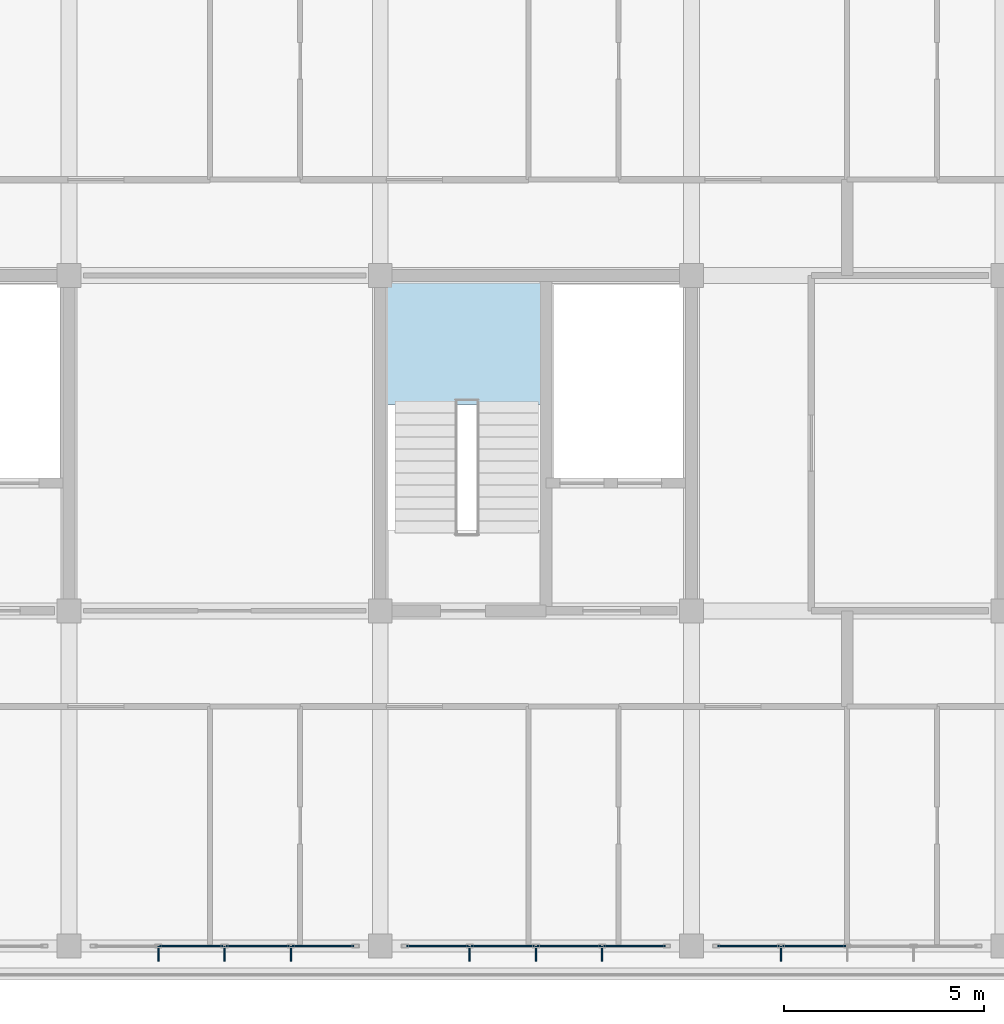
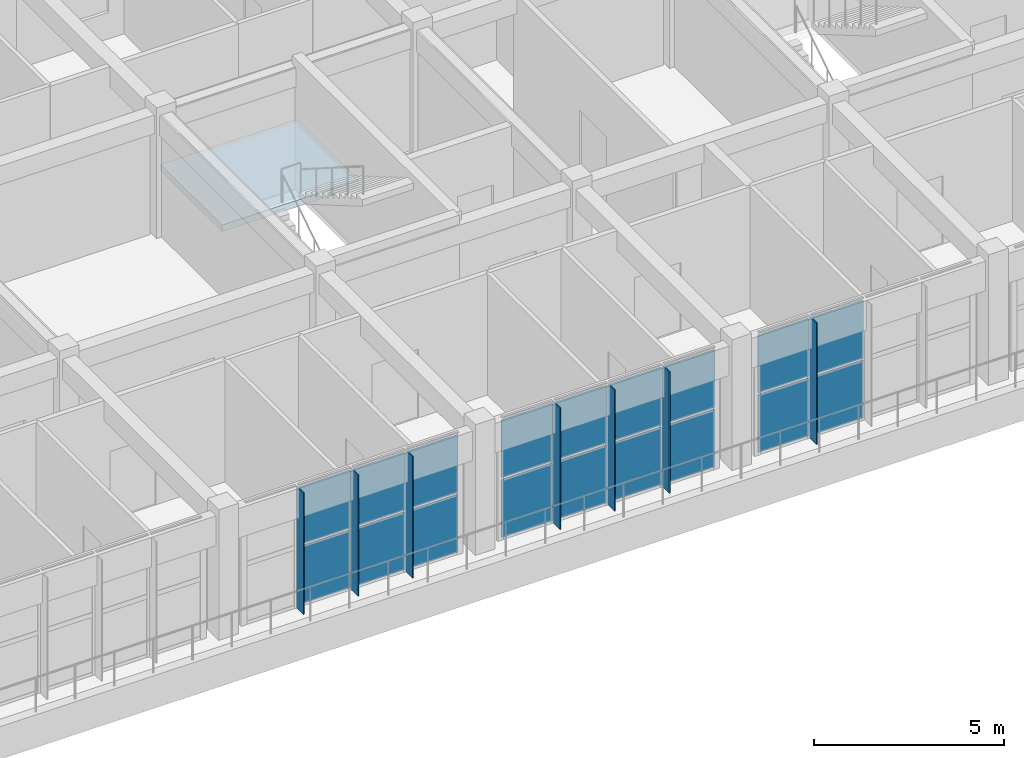
# One storey, part 38 of 56: 25 plates, 1 slab, 4 elements without a shape of their own.
"""IFC4 building model written with IfcOpenShell, lengths in metres."""

import ifcopenshell
import ifcopenshell.guid

model = None  # the IFC model being written
_history = None  # IfcOwnerHistory: only IFC2X3 demands one
_inside = {}  # id of a spatial element -> (the spatial element, [elements in it])
_under = {}  # id of a project, library or spatial element -> (it, [spatial elements below it])
_declared = {}  # id of a project -> (the project, [libraries it declares])
_typed = {}  # id of a type object -> (the type object, [elements of that type])
_made_of = {}  # id of a material, layer set ... -> (it, [elements and type objects made of it])


def new_model(schema):
    """Start an empty IFC model of exactly this schema.

    Asked for "IFC4X3", IfcOpenShell would pick the latest addendum, in which some entities
    have other attributes; the version numbers below select the first issue.
    IFC2X3 requires an IfcOwnerHistory on every rooted entity: one is made here for all.
    """
    global model, _history
    if schema == "IFC4X3":
        model = ifcopenshell.file(schema_version=(4, 3, 0, 0))
    else:
        model = ifcopenshell.file(schema=schema)
    _inside.clear()
    _under.clear()
    _declared.clear()
    _typed.clear()
    _made_of.clear()
    _history = None
    if model.schema == "IFC2X3":
        org = make("IfcOrganization", Name="unknown")
        user = make(
            "IfcPersonAndOrganization",
            ThePerson=make("IfcPerson", FamilyName="unknown"),
            TheOrganization=org,
        )
        app = make(
            "IfcApplication",
            ApplicationDeveloper=org,
            Version="unknown",
            ApplicationFullName="unknown",
            ApplicationIdentifier="unknown",
        )
        _history = make(
            "IfcOwnerHistory",
            OwningUser=user,
            OwningApplication=app,
            ChangeAction="ADDED",
            CreationDate=0,
        )
    return model


def make(cls, **values):
    """One entity of the class cls with the attributes given. An attribute that is None is left unset."""
    return model.create_entity(
        cls, **{name: value for name, value in values.items() if value is not None}
    )


def rooted(cls, **values):
    """An entity with a GlobalId (a new one), such as an element, a storey or a relation."""
    return make(cls, GlobalId=ifcopenshell.guid.new(), OwnerHistory=_history, **values)


def si_unit(unit_type, name, prefix=None):
    """IfcSIUnit, for example si_unit("LENGTHUNIT", "METRE", prefix="MILLI")."""
    return make("IfcSIUnit", UnitType=unit_type, Prefix=prefix, Name=name)


def assignment(units):
    """IfcUnitAssignment: the units of a project."""
    return None if units is None else make("IfcUnitAssignment", Units=units)


def point(xyz):
    """IfcCartesianPoint."""
    return None if xyz is None else make("IfcCartesianPoint", Coordinates=xyz)


def direction(xyz):
    """IfcDirection."""
    return None if xyz is None else make("IfcDirection", DirectionRatios=xyz)


def frame(location, z_axis=None, x_axis=None):
    """IfcAxis2Placement3D, a coordinate frame: its origin and axes. An axis left out is left unset."""
    return make(
        "IfcAxis2Placement3D",
        Location=point(location),
        Axis=direction(z_axis),
        RefDirection=direction(x_axis),
    )


def frame_2d(location, x_axis=None):
    """IfcAxis2Placement2D, a coordinate frame in the plane: its origin and x axis."""
    return make(
        "IfcAxis2Placement2D", Location=point(location), RefDirection=direction(x_axis)
    )


def origin():
    """The frame at (0, 0, 0) with its axes left unset."""
    return frame((0.0, 0.0, 0.0))


def origin_2d():
    """The frame at (0, 0) in the plane with its x axis left unset."""
    return frame_2d((0.0, 0.0))


def place(relative_to, where):
    """IfcLocalPlacement: puts the frame where relative to a parent placement (None: the world)."""
    return make(
        "IfcLocalPlacement", PlacementRelTo=relative_to, RelativePlacement=where
    )


def context(
    kind, dimensions, precision=None, world=None, true_north=None, identifier=None
):
    """IfcGeometricRepresentationContext, for example the 3D "Model" context."""
    return make(
        "IfcGeometricRepresentationContext",
        ContextIdentifier=identifier,
        ContextType=kind,
        CoordinateSpaceDimension=dimensions,
        Precision=precision,
        WorldCoordinateSystem=world,
        TrueNorth=true_north,
    )


def subcontext(parent, identifier, kind, view, scale=None):
    """IfcGeometricRepresentationSubContext, for example "Body" below "Model"."""
    return make(
        "IfcGeometricRepresentationSubContext",
        ContextIdentifier=identifier,
        ContextType=kind,
        ParentContext=parent,
        TargetScale=scale,
        TargetView=view,
    )


def project(units=None, contexts=None):
    """IfcProject with its units and contexts."""
    return rooted(
        "IfcProject",
        Name="project",
        RepresentationContexts=contexts,
        UnitsInContext=assignment(units),
    )


def spatial(cls, under=None, at=None, **own):
    """A site, building, storey or space (cls), placed at a placement, below another one or the project."""
    s = rooted(cls, ObjectPlacement=at, **own)
    if under is not None:
        _under.setdefault(under.id(), (under, []))[1].append(s)
    return s


def polyline(points):
    """IfcPolyline through the points."""
    return make("IfcPolyline", Points=[point(p) for p in points])


def profile(cls, at=None, kind="AREA", **sizes):
    """A parametric profile (cls). Its sizes go by their IFC names, for example OverallWidth=200.0."""
    return make(cls, ProfileType=kind, Position=at, **sizes)


def rectangle(**sizes):
    """IfcRectangleProfileDef."""
    return profile("IfcRectangleProfileDef", **sizes)


def outline(outer, holes=None, kind="AREA"):
    """IfcArbitraryClosedProfileDef: a profile drawn as a closed curve; with holes, ...WithVoids."""
    if holes is None:
        return make("IfcArbitraryClosedProfileDef", ProfileType=kind, OuterCurve=outer)
    return make(
        "IfcArbitraryProfileDefWithVoids",
        ProfileType=kind,
        OuterCurve=outer,
        InnerCurves=holes,
    )


def extrude(swept, where, along, depth):
    """IfcExtrudedAreaSolid: the profile swept, set in the frame where, extruded along a direction by depth."""
    return make(
        "IfcExtrudedAreaSolid",
        SweptArea=swept,
        Position=where,
        ExtrudedDirection=direction(along),
        Depth=depth,
    )


def shape(context_of_items, identifier, shape_type, items):
    """IfcShapeRepresentation: the items that make up one representation, for example the "Body"."""
    return make(
        "IfcShapeRepresentation",
        ContextOfItems=context_of_items,
        RepresentationIdentifier=identifier,
        RepresentationType=shape_type,
        Items=items,
    )


def material(Name=None, Category=None):
    """IfcMaterial."""
    return make("IfcMaterial", Name=Name, Category=Category)


def layer(
    of_material, thickness, ventilated=None, Name=None, Category=None, Priority=None
):
    """IfcMaterialLayer: one layer of a wall or slab, of a material (None: an air gap)."""
    return make(
        "IfcMaterialLayer",
        Material=of_material,
        LayerThickness=thickness,
        IsVentilated=ventilated,
        Name=Name,
        Category=Category,
        Priority=Priority,
    )


def layer_set(layers, Name=None):
    """IfcMaterialLayerSet."""
    return make("IfcMaterialLayerSet", MaterialLayers=layers, LayerSetName=Name)


def made_of(thing, what):
    """Note that an element or type object is made of a material, layer set ...; save() writes the relation."""
    if what is not None:
        _made_of.setdefault(what.id(), (what, []))[1].append(thing)
    return thing


def type_object(cls, material=None, **own):
    """A type object (cls), such as IfcWallType, which elements share."""
    return made_of(rooted(cls, **own), material)


def element(
    cls,
    number,
    at=None,
    inside=None,
    cuts=None,
    type_object=None,
    material=None,
    context=None,
    identifier="Body",
    shape_type=None,
    held_by="IfcProductDefinitionShape",
    body=None,
    shapes=None,
    **own,
):
    """One element of the class cls, such as IfcWall. Its Tag is "e" and its number.

    at: its placement. inside: the storey or other place that contains it. cuts: it is an
    opening in that element (IfcRelVoidsElement). A single representation is given by context,
    identifier, shape_type and body (its items); several are given by shapes. held_by: the class
    of the entity that holds the representations. save() writes the other relations.
    """
    e = rooted(cls, Tag="e%d" % number, ObjectPlacement=at, **own)
    if body is not None:
        shapes = [shape(context, identifier, shape_type, body)]
    if shapes is not None:
        e.Representation = make(held_by, Representations=shapes)
    if inside is not None:
        _inside.setdefault(inside.id(), (inside, []))[1].append(e)
    if cuts is not None:
        rooted(
            "IfcRelVoidsElement", RelatingBuildingElement=cuts, RelatedOpeningElement=e
        )
    if type_object is not None:
        _typed.setdefault(type_object.id(), (type_object, []))[1].append(e)
    return made_of(e, material)


def aggregate(whole, parts):
    """IfcRelAggregates: a whole, such as a stair, and the parts it consists of."""
    return rooted("IfcRelAggregates", RelatingObject=whole, RelatedObjects=parts)


def save(model, path):
    """Write the relations noted so far, then the file.

    IfcRelAggregates (storeys below a building ...), IfcRelContainedInSpatialStructure (elements
    in a storey), IfcRelDefinesByType, IfcRelAssociatesMaterial and IfcRelDeclares: one each for
    every whole, place, type object, material and project.
    """
    for whole, parts in _under.values():
        aggregate(whole, parts)
    for where, things in _inside.values():
        rooted(
            "IfcRelContainedInSpatialStructure",
            RelatedElements=things,
            RelatingStructure=where,
        )
    for kind, things in _typed.values():
        rooted("IfcRelDefinesByType", RelatedObjects=things, RelatingType=kind)
    for what, things in _made_of.values():
        rooted("IfcRelAssociatesMaterial", RelatedObjects=things, RelatingMaterial=what)
    for by, libraries in _declared.values():
        rooted("IfcRelDeclares", RelatingContext=by, RelatedDefinitions=libraries)
    model.write(path)


model = new_model("IFC4")

# Units and contexts
model_context = context("Model", 3, precision=1e-05, world=origin(), true_north=direction((0.0, 1.0)))
body_context = subcontext(model_context, "Body", "Model", "MODEL_VIEW")
ifc_project = project(units=[si_unit("LENGTHUNIT", "METRE"), si_unit("AREAUNIT", "SQUARE_METRE"), si_unit("VOLUMEUNIT", "CUBIC_METRE"), si_unit("PLANEANGLEUNIT", "RADIAN"), si_unit("MASSUNIT", "GRAM", prefix="KILO")], contexts=[model_context])

# Site, building, storey
site_placement = place(None, origin())
site = spatial("IfcSite", under=ifc_project, at=site_placement, CompositionType="ELEMENT")
building_placement = place(site_placement, origin())
building = spatial("IfcBuilding", under=site, at=building_placement, Name="Zizhar Promenade General Hospital", CompositionType="ELEMENT")
storey_placement = place(building_placement, frame((0.0, 0.0, 26.39990234375)))
storey = spatial("IfcBuildingStorey", under=building, at=storey_placement, Name="L06", CompositionType="ELEMENT", Elevation=26.39990234375)

# Curtain wall, plates
ifc_material_1 = material(Name="Anodised aluminium 6063-T6 and low-E glass", Category="aluminium")
ifc_layer_1 = layer(ifc_material_1, 0.159912109375)
ifc_layer_set_1 = layer_set([ifc_layer_1], Name="Anodised aluminium 6063-T6 and low-E glass")
curtain_wall_type = type_object("IfcCurtainWallType", Name="CW-WARD-RIB", PredefinedType="NOTDEFINED", material=ifc_layer_set_1)
curtain_wall_1_placement = place(storey_placement, origin())
curtain_wall_1 = element("IfcCurtainWall", 1, at=curtain_wall_1_placement, inside=storey, type_object=curtain_wall_type, Name="Ward Ribbon Curtain Wall L06-17-5", PredefinedType="NOTDEFINED")
ifc_material_2 = material(Name="Low-E solar-control glass", Category="glass")
ifc_layer_2 = layer(ifc_material_2, 0.031982421875)
ifc_layer_set_2 = layer_set([ifc_layer_2], Name="Low-E solar-control glass")
plate_type_1 = type_object("IfcPlateType", Name="CWP-GLZ-32", PredefinedType="CURTAIN_PANEL", material=ifc_layer_set_2)
plate_1_placement = place(storey_placement, frame((73.27001953125, 0.0, 0.06005859375), z_axis=(0.0, 0.0, 1.0), x_axis=(-1.0, 0.0, 0.0)))
plate_1 = element("IfcPlate", 2, at=plate_1_placement, type_object=plate_type_1, Name="CW-13 panel 3.1", PredefinedType="CURTAIN_PANEL", context=body_context, shape_type="SweptSolid", body=[
    extrude(rectangle(XDim=1.580078125, YDim=0.031982421875, at=origin_2d()), origin(), (0.0, 0.0, 1.0), 1.860107421875),
])
plate_2_placement = place(storey_placement, frame((73.27001953125, 0.0, 1.97998046875), z_axis=(0.0, 0.0, 1.0), x_axis=(-1.0, 0.0, 0.0)))
plate_2 = element("IfcPlate", 3, at=plate_2_placement, type_object=plate_type_1, Name="CW-13 panel 3.2", PredefinedType="CURTAIN_PANEL", context=body_context, shape_type="SweptSolid", body=[
    extrude(rectangle(XDim=1.580078125, YDim=0.031982421875, at=origin_2d()), origin(), (0.0, 0.0, 1.0), 1.860107421875),
])
plate_3_placement = place(storey_placement, frame((71.6298828125, 0.0, 0.06005859375), z_axis=(0.0, 0.0, 1.0), x_axis=(-1.0, 0.0, 0.0)))
plate_3 = element("IfcPlate", 4, at=plate_3_placement, type_object=plate_type_1, Name="CW-13 panel 4.1", PredefinedType="CURTAIN_PANEL", context=body_context, shape_type="SweptSolid", body=[
    extrude(rectangle(XDim=1.5400390625, YDim=0.031982421875, at=origin_2d()), origin(), (0.0, 0.0, 1.0), 1.860107421875),
])
plate_4_placement = place(storey_placement, frame((71.6298828125, 0.0, 1.97998046875), z_axis=(0.0, 0.0, 1.0), x_axis=(-1.0, 0.0, 0.0)))
plate_4 = element("IfcPlate", 5, at=plate_4_placement, type_object=plate_type_1, Name="CW-13 panel 4.2", PredefinedType="CURTAIN_PANEL", context=body_context, shape_type="SweptSolid", body=[
    extrude(rectangle(XDim=1.5400390625, YDim=0.031982421875, at=origin_2d()), origin(), (0.0, 0.0, 1.0), 1.860107421875),
])
aggregate(curtain_wall_1, [plate_1, plate_2, plate_3, plate_4])

curtain_wall_2_placement = place(storey_placement, origin())
curtain_wall_2 = element("IfcCurtainWall", 6, at=curtain_wall_2_placement, inside=storey, type_object=curtain_wall_type, Name="Ward Ribbon Curtain Wall L06-17-6", PredefinedType="NOTDEFINED")
plate_5_placement = place(storey_placement, frame((68.77001953125, 0.0, 0.06005859375), z_axis=(0.0, 0.0, 1.0), x_axis=(-1.0, 0.0, 0.0)))
plate_5 = element("IfcPlate", 7, at=plate_5_placement, type_object=plate_type_1, Name="CW-13 panel 1.1", PredefinedType="CURTAIN_PANEL", context=body_context, shape_type="SweptSolid", body=[
    extrude(rectangle(XDim=1.5400390625, YDim=0.031982421875, at=origin_2d()), origin(), (0.0, 0.0, 1.0), 1.860107421875),
])
plate_6_placement = place(storey_placement, frame((68.77001953125, 0.0, 1.97998046875), z_axis=(0.0, 0.0, 1.0), x_axis=(-1.0, 0.0, 0.0)))
plate_6 = element("IfcPlate", 8, at=plate_6_placement, type_object=plate_type_1, Name="CW-13 panel 1.2", PredefinedType="CURTAIN_PANEL", context=body_context, shape_type="SweptSolid", body=[
    extrude(rectangle(XDim=1.5400390625, YDim=0.031982421875, at=origin_2d()), origin(), (0.0, 0.0, 1.0), 1.860107421875),
])
plate_7_placement = place(storey_placement, frame((67.1298828125, 0.0, 0.06005859375), z_axis=(0.0, 0.0, 1.0), x_axis=(-1.0, 0.0, 0.0)))
plate_7 = element("IfcPlate", 9, at=plate_7_placement, type_object=plate_type_1, Name="CW-13 panel 2.1", PredefinedType="CURTAIN_PANEL", context=body_context, shape_type="SweptSolid", body=[
    extrude(rectangle(XDim=1.580078125, YDim=0.031982421875, at=origin_2d()), origin(), (0.0, 0.0, 1.0), 1.860107421875),
])
plate_8_placement = place(storey_placement, frame((67.1298828125, 0.0, 1.97998046875), z_axis=(0.0, 0.0, 1.0), x_axis=(-1.0, 0.0, 0.0)))
plate_8 = element("IfcPlate", 10, at=plate_8_placement, type_object=plate_type_1, Name="CW-13 panel 2.2", PredefinedType="CURTAIN_PANEL", context=body_context, shape_type="SweptSolid", body=[
    extrude(rectangle(XDim=1.580078125, YDim=0.031982421875, at=origin_2d()), origin(), (0.0, 0.0, 1.0), 1.860107421875),
])
plate_9_placement = place(storey_placement, frame((65.469970703125, 0.0, 0.06005859375), z_axis=(0.0, 0.0, 1.0), x_axis=(-1.0, 0.0, 0.0)))
plate_9 = element("IfcPlate", 11, at=plate_9_placement, type_object=plate_type_1, Name="CW-13 panel 3.1", PredefinedType="CURTAIN_PANEL", context=body_context, shape_type="SweptSolid", body=[
    extrude(rectangle(XDim=1.580078125, YDim=0.031982421875, at=origin_2d()), origin(), (0.0, 0.0, 1.0), 1.860107421875),
])
plate_10_placement = place(storey_placement, frame((65.469970703125, 0.0, 1.97998046875), z_axis=(0.0, 0.0, 1.0), x_axis=(-1.0, 0.0, 0.0)))
plate_10 = element("IfcPlate", 12, at=plate_10_placement, type_object=plate_type_1, Name="CW-13 panel 3.2", PredefinedType="CURTAIN_PANEL", context=body_context, shape_type="SweptSolid", body=[
    extrude(rectangle(XDim=1.580078125, YDim=0.031982421875, at=origin_2d()), origin(), (0.0, 0.0, 1.0), 1.860107421875),
])
plate_11_placement = place(storey_placement, frame((63.830078125, 0.0, 0.06005859375), z_axis=(0.0, 0.0, 1.0), x_axis=(-1.0, 0.0, 0.0)))
plate_11 = element("IfcPlate", 13, at=plate_11_placement, type_object=plate_type_1, Name="CW-13 panel 4.1", PredefinedType="CURTAIN_PANEL", context=body_context, shape_type="SweptSolid", body=[
    extrude(rectangle(XDim=1.5400390625, YDim=0.031982421875, at=origin_2d()), origin(), (0.0, 0.0, 1.0), 1.860107421875),
])
plate_12_placement = place(storey_placement, frame((63.830078125, 0.0, 1.97998046875), z_axis=(0.0, 0.0, 1.0), x_axis=(-1.0, 0.0, 0.0)))
plate_12 = element("IfcPlate", 14, at=plate_12_placement, type_object=plate_type_1, Name="CW-13 panel 4.2", PredefinedType="CURTAIN_PANEL", context=body_context, shape_type="SweptSolid", body=[
    extrude(rectangle(XDim=1.5400390625, YDim=0.031982421875, at=origin_2d()), origin(), (0.0, 0.0, 1.0), 1.860107421875),
])
aggregate(curtain_wall_2, [plate_5, plate_6, plate_7, plate_8, plate_9, plate_10, plate_11, plate_12])

curtain_wall_3_placement = place(storey_placement, origin())
curtain_wall_3 = element("IfcCurtainWall", 15, at=curtain_wall_3_placement, inside=storey, type_object=curtain_wall_type, Name="Ward Ribbon Curtain Wall L06-17-7", PredefinedType="NOTDEFINED")
plate_13_placement = place(storey_placement, frame((60.969970703125, 0.0, 0.06005859375), z_axis=(0.0, 0.0, 1.0), x_axis=(-1.0, 0.0, 0.0)))
plate_13 = element("IfcPlate", 16, at=plate_13_placement, type_object=plate_type_1, Name="CW-13 panel 1.1", PredefinedType="CURTAIN_PANEL", context=body_context, shape_type="SweptSolid", body=[
    extrude(rectangle(XDim=1.5400390625, YDim=0.031982421875, at=origin_2d()), origin(), (0.0, 0.0, 1.0), 1.860107421875),
])
plate_14_placement = place(storey_placement, frame((60.969970703125, 0.0, 1.97998046875), z_axis=(0.0, 0.0, 1.0), x_axis=(-1.0, 0.0, 0.0)))
plate_14 = element("IfcPlate", 17, at=plate_14_placement, type_object=plate_type_1, Name="CW-13 panel 1.2", PredefinedType="CURTAIN_PANEL", context=body_context, shape_type="SweptSolid", body=[
    extrude(rectangle(XDim=1.5400390625, YDim=0.031982421875, at=origin_2d()), origin(), (0.0, 0.0, 1.0), 1.860107421875),
])
plate_15_placement = place(storey_placement, frame((59.330078125, 0.0, 0.06005859375), z_axis=(0.0, 0.0, 1.0), x_axis=(-1.0, 0.0, 0.0)))
plate_15 = element("IfcPlate", 18, at=plate_15_placement, type_object=plate_type_1, Name="CW-13 panel 2.1", PredefinedType="CURTAIN_PANEL", context=body_context, shape_type="SweptSolid", body=[
    extrude(rectangle(XDim=1.580078125, YDim=0.031982421875, at=origin_2d()), origin(), (0.0, 0.0, 1.0), 1.860107421875),
])
plate_16_placement = place(storey_placement, frame((59.330078125, 0.0, 1.97998046875), z_axis=(0.0, 0.0, 1.0), x_axis=(-1.0, 0.0, 0.0)))
plate_16 = element("IfcPlate", 19, at=plate_16_placement, type_object=plate_type_1, Name="CW-13 panel 2.2", PredefinedType="CURTAIN_PANEL", context=body_context, shape_type="SweptSolid", body=[
    extrude(rectangle(XDim=1.580078125, YDim=0.031982421875, at=origin_2d()), origin(), (0.0, 0.0, 1.0), 1.860107421875),
])
plate_17_placement = place(storey_placement, frame((57.669921875, 0.0, 0.06005859375), z_axis=(0.0, 0.0, 1.0), x_axis=(-1.0, 0.0, 0.0)))
plate_17 = element("IfcPlate", 20, at=plate_17_placement, type_object=plate_type_1, Name="CW-13 panel 3.1", PredefinedType="CURTAIN_PANEL", context=body_context, shape_type="SweptSolid", body=[
    extrude(rectangle(XDim=1.580078125, YDim=0.031982421875, at=origin_2d()), origin(), (0.0, 0.0, 1.0), 1.860107421875),
])
plate_18_placement = place(storey_placement, frame((57.669921875, 0.0, 1.97998046875), z_axis=(0.0, 0.0, 1.0), x_axis=(-1.0, 0.0, 0.0)))
plate_18 = element("IfcPlate", 21, at=plate_18_placement, type_object=plate_type_1, Name="CW-13 panel 3.2", PredefinedType="CURTAIN_PANEL", context=body_context, shape_type="SweptSolid", body=[
    extrude(rectangle(XDim=1.580078125, YDim=0.031982421875, at=origin_2d()), origin(), (0.0, 0.0, 1.0), 1.860107421875),
])
aggregate(curtain_wall_3, [plate_13, plate_14, plate_15, plate_16, plate_17, plate_18])

# Plates
ifc_material_3 = material(Name="Anodised aluminium 6063-T6", Category="aluminium")
ifc_layer_3 = layer(ifc_material_3, 0.035888671875)
ifc_layer_set_3 = layer_set([ifc_layer_3], Name="Anodised aluminium 6063-T6")
plate_type_2 = type_object("IfcPlateType", Name="FIN-ALU-380", PredefinedType="USERDEFINED", material=ifc_layer_set_3)
plate_19_placement = place(storey_placement, origin())
element("IfcPlate", 22, at=plate_19_placement, inside=storey, type_object=plate_type_2, Name="Ward Ribbon Curtain Wall L06-17-5 Solar Fin 3", ObjectType="SOLAR_SHADE", PredefinedType="USERDEFINED", context=body_context, shape_type="SweptSolid", body=[
    extrude(outline(polyline([(72.4580078125, 0.0), (72.422119140625, 0.0), (72.422119140625, -0.3798828125), (72.4580078125, -0.3798828125), (72.4580078125, 0.0)])), origin(), (0.0, 0.0, 1.0), 3.900146484375),
])
plate_20_placement = place(storey_placement, origin())
element("IfcPlate", 23, at=plate_20_placement, inside=storey, type_object=plate_type_2, Name="Ward Ribbon Curtain Wall L06-17-6 Solar Fin 1", ObjectType="SOLAR_SHADE", PredefinedType="USERDEFINED", context=body_context, shape_type="SweptSolid", body=[
    extrude(outline(polyline([(67.97802734375, 0.0), (67.94189453125, 0.0), (67.94189453125, -0.3798828125), (67.97802734375, -0.3798828125), (67.97802734375, 0.0)])), origin(), (0.0, 0.0, 1.0), 3.900146484375),
])
plate_21_placement = place(storey_placement, origin())
element("IfcPlate", 24, at=plate_21_placement, inside=storey, type_object=plate_type_2, Name="Ward Ribbon Curtain Wall L06-17-6 Solar Fin 2", ObjectType="SOLAR_SHADE", PredefinedType="USERDEFINED", context=body_context, shape_type="SweptSolid", body=[
    extrude(outline(polyline([(66.318115234375, 0.0), (66.281982421875, 0.0), (66.281982421875, -0.3798828125), (66.318115234375, -0.3798828125), (66.318115234375, 0.0)])), origin(), (0.0, 0.0, 1.0), 3.900146484375),
])
plate_22_placement = place(storey_placement, origin())
element("IfcPlate", 25, at=plate_22_placement, inside=storey, type_object=plate_type_2, Name="Ward Ribbon Curtain Wall L06-17-6 Solar Fin 3", ObjectType="SOLAR_SHADE", PredefinedType="USERDEFINED", context=body_context, shape_type="SweptSolid", body=[
    extrude(outline(polyline([(64.657958984375, 0.0), (64.6220703125, 0.0), (64.6220703125, -0.3798828125), (64.657958984375, -0.3798828125), (64.657958984375, 0.0)])), origin(), (0.0, 0.0, 1.0), 3.900146484375),
])
plate_23_placement = place(storey_placement, origin())
element("IfcPlate", 26, at=plate_23_placement, inside=storey, type_object=plate_type_2, Name="Ward Ribbon Curtain Wall L06-17-7 Solar Fin 1", ObjectType="SOLAR_SHADE", PredefinedType="USERDEFINED", context=body_context, shape_type="SweptSolid", body=[
    extrude(outline(polyline([(60.177978515625, 0.0), (60.14208984375, 0.0), (60.14208984375, -0.3798828125), (60.177978515625, -0.3798828125), (60.177978515625, 0.0)])), origin(), (0.0, 0.0, 1.0), 3.900146484375),
])
plate_24_placement = place(storey_placement, origin())
element("IfcPlate", 27, at=plate_24_placement, inside=storey, type_object=plate_type_2, Name="Ward Ribbon Curtain Wall L06-17-7 Solar Fin 2", ObjectType="SOLAR_SHADE", PredefinedType="USERDEFINED", context=body_context, shape_type="SweptSolid", body=[
    extrude(outline(polyline([(58.51806640625, 0.0), (58.48193359375, 0.0), (58.48193359375, -0.3798828125), (58.51806640625, -0.3798828125), (58.51806640625, 0.0)])), origin(), (0.0, 0.0, 1.0), 3.900146484375),
])
plate_25_placement = place(storey_placement, origin())
element("IfcPlate", 28, at=plate_25_placement, inside=storey, type_object=plate_type_2, Name="Ward Ribbon Curtain Wall L06-17-7 Solar Fin 3", ObjectType="SOLAR_SHADE", PredefinedType="USERDEFINED", context=body_context, shape_type="SweptSolid", body=[
    extrude(outline(polyline([(56.85791015625, 0.0), (56.822021484375, 0.0), (56.822021484375, -0.3798828125), (56.85791015625, -0.3798828125), (56.85791015625, 0.0)])), origin(), (0.0, 0.0, 1.0), 3.900146484375),
])

# Stair, slab
ifc_material_4 = material(Name="Concrete C35/45", Category="concrete")
stair_type = type_object("IfcStairType", Name="STR-DOG-420", PredefinedType="HALF_TURN_STAIR", material=ifc_material_4)
stair_placement = place(storey_placement, origin())
stair = element("IfcStair", 29, at=stair_placement, inside=storey, type_object=stair_type, Name="Exit Stair ST-03 (L06 to L07)", PredefinedType="HALF_TURN_STAIR")
ifc_material_5 = material(Name="Concrete C35/45", Category="concrete")
ifc_layer_4 = layer(ifc_material_5, 0.2099609375)
ifc_layer_set_4 = layer_set([ifc_layer_4], Name="Concrete C35/45")
slab_type = type_object("IfcSlabType", Name="SLB-LAND-420", PredefinedType="LANDING", material=ifc_layer_set_4)
slab_placement = place(storey_placement, frame((0.0, 0.0, 1.89013671875)))
slab = element("IfcSlab", 30, at=slab_placement, type_object=slab_type, Name="ST-03C landing 1", PredefinedType="LANDING", context=body_context, shape_type="SweptSolid", body=[
    extrude(outline(polyline([(62.39990234375, 13.570068359375), (66.550048828125, 13.570068359375), (66.550048828125, 16.800048828125), (62.39990234375, 16.800048828125), (62.39990234375, 13.570068359375)])), origin(), (0.0, 0.0, 1.0), 0.2099609375),
])
aggregate(stair, [slab])

save(model, "model.ifc")
